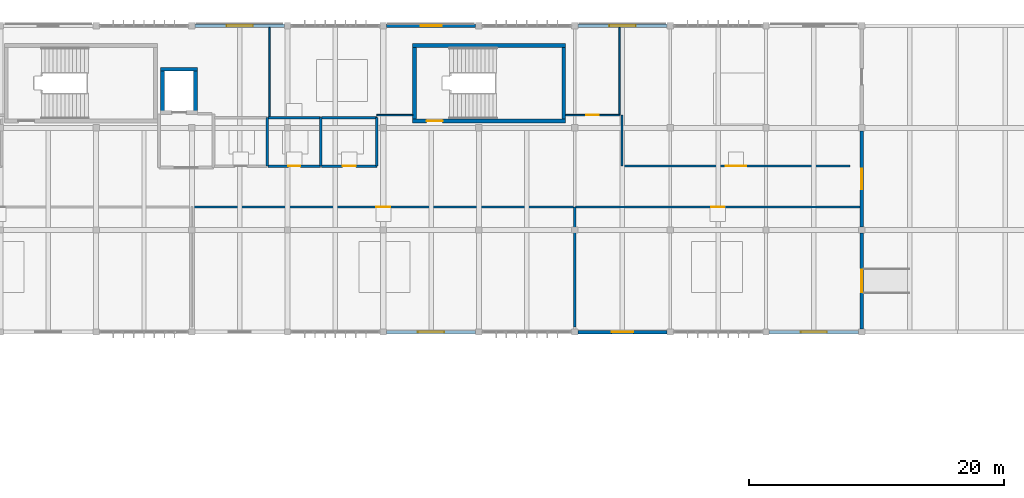
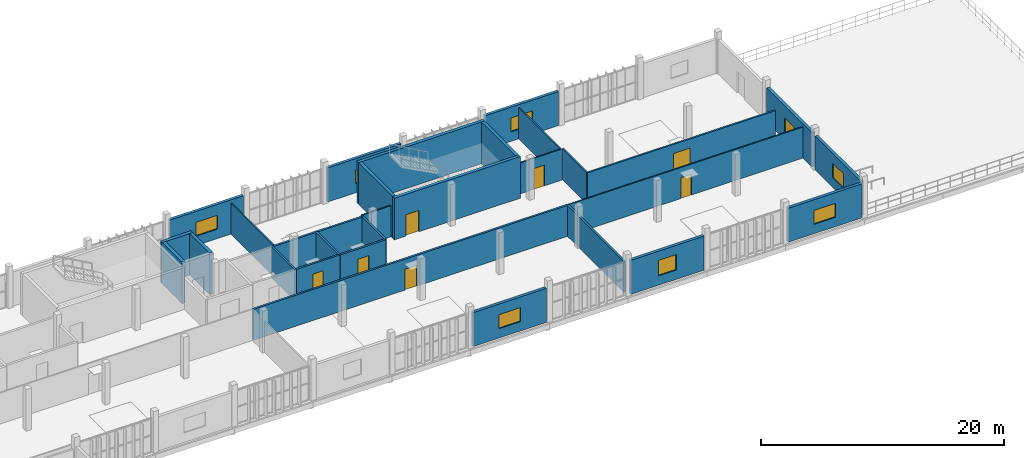
# One storey, part 20 of 27: 31 walls, 8 doors, 7 windows, 15 openings.
"""IFC4 building model written with IfcOpenShell, lengths in metres."""

from ifc_helpers import new_model, si_unit, direction, frame, frame_2d, origin, place, context, subcontext, project, spatial, rectangle, extrude, material, layer, layer_set, type_object, element, fill, save


model = new_model("IFC4")

# Units and contexts
model_context = context("Model", 3, precision=1e-05, world=origin(), true_north=direction((0.0, 1.0)))
body_context = subcontext(model_context, "Body", "Model", "MODEL_VIEW")
ifc_project = project(units=[si_unit("LENGTHUNIT", "METRE"), si_unit("AREAUNIT", "SQUARE_METRE"), si_unit("VOLUMEUNIT", "CUBIC_METRE"), si_unit("PLANEANGLEUNIT", "RADIAN"), si_unit("MASSUNIT", "GRAM", prefix="KILO")], contexts=[model_context])

# Site, building, storey
site_placement = place(None, origin())
site = spatial("IfcSite", under=ifc_project, at=site_placement, CompositionType="ELEMENT")
building_placement = place(site_placement, origin())
building = spatial("IfcBuilding", under=site, at=building_placement, Name="Vourika Railside Aquatics Centre", CompositionType="ELEMENT")
storey_placement = place(building_placement, frame((0.0, 0.0, 13.5)))
storey = spatial("IfcBuildingStorey", under=building, at=storey_placement, Name="L03", CompositionType="ELEMENT", Elevation=13.5)

# Wall, opening, door
ifc_material_1 = material(Name="Concrete C40/50", Category="concrete")
ifc_layer_1 = layer(ifc_material_1, 0.300048828125, Name="WL-CORE")
ifc_layer_set_1 = layer_set([ifc_layer_1], Name="Concrete C40/50")
wall_type_1 = type_object("IfcWallType", Name="WL-CORE", PredefinedType="SHEAR", material=ifc_layer_set_1)
wall_1_placement = place(storey_placement, frame((75.800048828125, 108.550048828125, 0.0), z_axis=(0.0, 0.0, 1.0), x_axis=(1.0, 0.0, 0.0)))
wall_1 = element("IfcWall", 1, at=wall_1_placement, inside=storey, type_object=wall_type_1, Name="Protected Exit Stair Core ST03 South Wall (L03)", PredefinedType="SHEAR", context=body_context, shape_type="SweptSolid", body=[
    extrude(rectangle(XDim=12.0, YDim=0.300048828125, at=frame_2d((6.0, 0.0))), origin(), (0.0, 0.0, 1.0), 4.199951171875),
])
opening_1_placement = place(wall_1_placement, frame((1.10009765625, 0.0, 0.0)))
opening_1 = element("IfcOpeningElement", 2, at=opening_1_placement, cuts=wall_1, Name="Opening DF02", PredefinedType="OPENING", context=body_context, shape_type="SweptSolid", body=[
    extrude(rectangle(XDim=1.25, YDim=2.14990234375, at=frame_2d((0.625, 1.074951171875))), frame((0.0, 0.16015625, 0.0), z_axis=(0.0, -1.0, 0.0), x_axis=(1.0, 0.0, 0.0)), (0.0, 0.0, 1.0), 0.320068359375),
])
ifc_material_2 = material(Name="Fire-rated wide exit stair door")
door_type_1 = type_object("IfcDoorType", Name="DR-FD60-125", OperationType="NOTDEFINED", PredefinedType="DOOR", material=ifc_material_2)
door_1_placement = place(opening_1_placement, origin())
door_1 = element("IfcDoor", 3, at=door_1_placement, inside=storey, type_object=door_type_1, Name="Protected Exit Stair Core ST03 Enclosure Fire Door (L03)", OperationType="SINGLE_SWING_LEFT", OverallHeight=2.14990234375, OverallWidth=1.25, PredefinedType="DOOR", context=body_context, shape_type="SweptSolid", body=[
    extrude(rectangle(XDim=1.25, YDim=2.14990234375, at=frame_2d((0.625, 1.074951171875))), frame((0.0, 0.02490234375, 0.0), z_axis=(0.0, -1.0, 0.0), x_axis=(1.0, 0.0, 0.0)), (0.0, 0.0, 1.0), 0.050048828125),
])
fill(opening_1, door_1)

# Walls
wall_2_placement = place(storey_placement, frame((87.800048828125, 114.449951171875, 0.0), z_axis=(0.0, 0.0, 1.0), x_axis=(-1.0, 0.0, 0.0)))
element("IfcWall", 4, at=wall_2_placement, inside=storey, type_object=wall_type_1, Name="Protected Exit Stair Core ST03 North Wall (L03)", PredefinedType="SHEAR", context=body_context, shape_type="SweptSolid", body=[
    extrude(rectangle(XDim=12.0, YDim=0.300048828125, at=frame_2d((6.0, 0.0))), origin(), (0.0, 0.0, 1.0), 4.199951171875),
])
for number, where, z_axis, x_axis, name in (
    (5, (75.949951171875, 114.300048828125, 0.0), (0.0, 0.0, 1.0), (0.0, -1.0, 0.0), "Protected Exit Stair Core ST03 West Wall (L03)"),
    (6, (87.64990234375, 108.699951171875, 0.0), (0.0, 0.0, 1.0), (0.0, 1.0, 0.0), "Protected Exit Stair Core ST03 East Wall (L03)"),
):
    element("IfcWall", number, at=place(storey_placement, frame(where, z_axis=z_axis, x_axis=x_axis)), inside=storey, type_object=wall_type_1, Name=name, PredefinedType="SHEAR", context=body_context, shape_type="SweptSolid", body=[
        extrude(rectangle(XDim=5.60009765625, YDim=0.300048828125, at=frame_2d((2.800048828125, 0.0))), origin(), (0.0, 0.0, 1.0), 4.199951171875),
    ])
wall_3_placement = place(storey_placement, frame((58.949951171875, 112.60009765625, 0.0), z_axis=(0.0, 0.0, 1.0), x_axis=(-1.0, 0.0, 0.0)))
element("IfcWall", 7, at=wall_3_placement, inside=storey, type_object=wall_type_1, Name="Lift LF02 Shaft North Wall (L03)", PredefinedType="SHEAR", context=body_context, shape_type="SweptSolid", body=[
    extrude(rectangle(XDim=2.89990234375, YDim=0.300048828125, at=frame_2d((1.449951171875, 0.0))), origin(), (0.0, 0.0, 1.0), 4.199951171875),
])
for number, where, z_axis, x_axis, name in (
    (8, (56.199951171875, 112.60009765625, 0.0), (0.0, 0.0, 1.0), (0.0, -1.0, 0.0), "Lift LF02 Shaft West Wall (L03)"),
    (9, (58.800048828125, 109.199951171875, 0.0), (0.0, 0.0, 1.0), (0.0, 1.0, 0.0), "Lift LF02 Shaft East Wall (L03)"),
):
    element("IfcWall", number, at=place(storey_placement, frame(where, z_axis=z_axis, x_axis=x_axis)), inside=storey, type_object=wall_type_1, Name=name, PredefinedType="SHEAR", context=body_context, shape_type="SweptSolid", body=[
        extrude(rectangle(XDim=3.400146484375, YDim=0.300048828125, at=frame_2d((1.7001953125, 0.0))), origin(), (0.0, 0.0, 1.0), 4.199951171875),
    ])

# Wall, opening, window
ifc_material_3 = material(Name="Precast concrete C40/50", Category="concrete")
ifc_layer_2 = layer(ifc_material_3, 0.27001953125, Name="WL-EXT-270")
ifc_layer_set_2 = layer_set([ifc_layer_2], Name="Precast concrete C40/50")
wall_type_2 = type_object("IfcWallType", Name="WL-EXT-270", PredefinedType="SOLIDWALL", material=ifc_layer_set_2)
wall_4_placement = place(storey_placement, frame((65.75, 116.0, 0.0), z_axis=(0.0, 0.0, 1.0), x_axis=(-1.0, 0.0, 0.0)))
wall_4 = element("IfcWall", 10, at=wall_4_placement, inside=storey, type_object=wall_type_2, Name="North Boulevard Precast Bay L03-6", PredefinedType="SOLIDWALL", context=body_context, shape_type="SweptSolid", body=[
    extrude(rectangle(XDim=7.0, YDim=0.27001953125, at=frame_2d((3.5, 0.0))), origin(), (0.0, 0.0, 1.0), 3.43994140625),
])
opening_2_placement = place(wall_4_placement, frame((2.47509765625, 0.0, 0.949951171875)))
opening_2 = element("IfcOpeningElement", 11, at=opening_2_placement, cuts=wall_4, Name="Opening W12", PredefinedType="OPENING", context=body_context, shape_type="SweptSolid", body=[
    extrude(rectangle(XDim=2.050048828125, YDim=1.39990234375, at=frame_2d((1.02490234375, 0.699951171875))), frame((0.0, 0.14501953125, 0.0), z_axis=(0.0, -1.0, 0.0), x_axis=(1.0, 0.0, 0.0)), (0.0, 0.0, 1.0), 0.2900390625),
])
ifc_material_4 = material(Name="Laminated solar-control glass", Category="glass")
window_type_1 = type_object("IfcWindowType", Name="WN-SPA-205x140", PartitioningType="DOUBLE_PANEL_HORIZONTAL", PredefinedType="WINDOW", material=ifc_material_4)
window_1_placement = place(opening_2_placement, origin())
window_1 = element("IfcWindow", 12, at=window_1_placement, inside=storey, type_object=window_type_1, Name="North Boulevard Studio Window L03-6", OverallHeight=1.39990234375, OverallWidth=2.050048828125, PartitioningType="SINGLE_PANEL", PredefinedType="WINDOW", context=body_context, shape_type="SweptSolid", body=[
    extrude(rectangle(XDim=2.050048828125, YDim=1.39990234375, at=frame_2d((1.02490234375, 0.699951171875))), frame((0.0, 0.030029296875, 0.0), z_axis=(0.0, -1.0, 0.0), x_axis=(1.0, 0.0, 0.0)), (0.0, 0.0, 1.0), 0.06005859375),
])
fill(opening_2, window_1)

wall_5_placement = place(storey_placement, frame((80.75, 116.0, 0.0), z_axis=(0.0, 0.0, 1.0), x_axis=(-1.0, 0.0, 0.0)))
wall_5 = element("IfcWall", 13, at=wall_5_placement, inside=storey, type_object=wall_type_2, Name="North Boulevard Precast Bay L03-8", PredefinedType="SOLIDWALL", context=body_context, shape_type="SweptSolid", body=[
    extrude(rectangle(XDim=7.0, YDim=0.27001953125, at=frame_2d((3.5, 0.0))), origin(), (0.0, 0.0, 1.0), 3.429931640625),
])
opening_3_placement = place(wall_5_placement, frame((2.675048828125, 0.0, 0.949951171875)))
opening_3 = element("IfcOpeningElement", 14, at=opening_3_placement, cuts=wall_5, Name="Opening W13", PredefinedType="OPENING", context=body_context, shape_type="SweptSolid", body=[
    extrude(rectangle(XDim=1.64990234375, YDim=1.35009765625, at=frame_2d((0.824951171875, 0.675048828125))), frame((0.0, 0.14501953125, 0.0), z_axis=(0.0, -1.0, 0.0), x_axis=(1.0, 0.0, 0.0)), (0.0, 0.0, 1.0), 0.2900390625),
])
window_type_2 = type_object("IfcWindowType", Name="WN-SPA-165x135", PartitioningType="SINGLE_PANEL", PredefinedType="WINDOW", material=ifc_material_4)
window_2_placement = place(opening_3_placement, origin())
window_2 = element("IfcWindow", 15, at=window_2_placement, inside=storey, type_object=window_type_2, Name="North Boulevard Studio Window L03-8", OverallHeight=1.35009765625, OverallWidth=1.64990234375, PartitioningType="SINGLE_PANEL", PredefinedType="WINDOW", context=body_context, shape_type="SweptSolid", body=[
    extrude(rectangle(XDim=1.64990234375, YDim=1.35009765625, at=frame_2d((0.824951171875, 0.675048828125))), frame((0.0, 0.030029296875, 0.0), z_axis=(0.0, -1.0, 0.0), x_axis=(1.0, 0.0, 0.0)), (0.0, 0.0, 1.0), 0.06005859375),
])
fill(opening_3, window_2)

wall_6_placement = place(storey_placement, frame((95.75, 116.0, 0.0), z_axis=(0.0, 0.0, 1.0), x_axis=(-1.0, 0.0, 0.0)))
wall_6 = element("IfcWall", 16, at=wall_6_placement, inside=storey, type_object=wall_type_2, Name="North Boulevard Precast Bay L03-10", PredefinedType="SOLIDWALL", context=body_context, shape_type="SweptSolid", body=[
    extrude(rectangle(XDim=7.0, YDim=0.27001953125, at=frame_2d((3.5, 0.0))), origin(), (0.0, 0.0, 1.0), 3.429931640625),
])
opening_4_placement = place(wall_6_placement, frame((2.47509765625, 0.0, 0.949951171875)))
opening_4 = element("IfcOpeningElement", 17, at=opening_4_placement, cuts=wall_6, Name="Opening W12", PredefinedType="OPENING", context=body_context, shape_type="SweptSolid", body=[
    extrude(rectangle(XDim=2.050048828125, YDim=1.39990234375, at=frame_2d((1.02490234375, 0.699951171875))), frame((0.0, 0.14501953125, 0.0), z_axis=(0.0, -1.0, 0.0), x_axis=(1.0, 0.0, 0.0)), (0.0, 0.0, 1.0), 0.2900390625),
])
window_3_placement = place(opening_4_placement, origin())
window_3 = element("IfcWindow", 18, at=window_3_placement, inside=storey, type_object=window_type_1, Name="North Boulevard Studio Window L03-10", OverallHeight=1.39990234375, OverallWidth=2.050048828125, PartitioningType="SINGLE_PANEL", PredefinedType="WINDOW", context=body_context, shape_type="SweptSolid", body=[
    extrude(rectangle(XDim=2.050048828125, YDim=1.39990234375, at=frame_2d((1.02490234375, 0.699951171875))), frame((0.0, 0.030029296875, 0.0), z_axis=(0.0, -1.0, 0.0), x_axis=(1.0, 0.0, 0.0)), (0.0, 0.0, 1.0), 0.06005859375),
])
fill(opening_4, window_3)

wall_7_placement = place(storey_placement, frame((73.75, 92.0, 0.0), z_axis=(0.0, 0.0, 1.0), x_axis=(1.0, 0.0, 0.0)))
wall_7 = element("IfcWall", 19, at=wall_7_placement, inside=storey, type_object=wall_type_2, Name="Courtyard Precast Wall L03-6", PredefinedType="SOLIDWALL", context=body_context, shape_type="SweptSolid", body=[
    extrude(rectangle(XDim=7.0, YDim=0.27001953125, at=frame_2d((3.5, 0.0))), origin(), (0.0, 0.0, 1.0), 3.429931640625),
])
opening_5_placement = place(wall_7_placement, frame((2.47509765625, 0.0, 0.949951171875)))
opening_5 = element("IfcOpeningElement", 20, at=opening_5_placement, cuts=wall_7, Name="Opening W12", PredefinedType="OPENING", context=body_context, shape_type="SweptSolid", body=[
    extrude(rectangle(XDim=2.050048828125, YDim=1.39990234375, at=frame_2d((1.02490234375, 0.699951171875))), frame((0.0, 0.14501953125, 0.0), z_axis=(0.0, -1.0, 0.0), x_axis=(1.0, 0.0, 0.0)), (0.0, 0.0, 1.0), 0.2900390625),
])
window_4_placement = place(opening_5_placement, origin())
window_4 = element("IfcWindow", 21, at=window_4_placement, inside=storey, type_object=window_type_1, Name="Courtyard Fitness Window L03-6", OverallHeight=1.39990234375, OverallWidth=2.050048828125, PartitioningType="SINGLE_PANEL", PredefinedType="WINDOW", context=body_context, shape_type="SweptSolid", body=[
    extrude(rectangle(XDim=2.050048828125, YDim=1.39990234375, at=frame_2d((1.02490234375, 0.699951171875))), frame((0.0, 0.030029296875, 0.0), z_axis=(0.0, -1.0, 0.0), x_axis=(1.0, 0.0, 0.0)), (0.0, 0.0, 1.0), 0.06005859375),
])
fill(opening_5, window_4)

wall_8_placement = place(storey_placement, frame((88.75, 92.0, 0.0), z_axis=(0.0, 0.0, 1.0), x_axis=(1.0, 0.0, 0.0)))
wall_8 = element("IfcWall", 22, at=wall_8_placement, inside=storey, type_object=wall_type_2, Name="Courtyard Precast Wall L03-8", PredefinedType="SOLIDWALL", context=body_context, shape_type="SweptSolid", body=[
    extrude(rectangle(XDim=7.0, YDim=0.27001953125, at=frame_2d((3.5, 0.0))), origin(), (0.0, 0.0, 1.0), 3.429931640625),
])
opening_6_placement = place(wall_8_placement, frame((2.64990234375, 0.0, 0.949951171875)))
opening_6 = element("IfcOpeningElement", 23, at=opening_6_placement, cuts=wall_8, Name="Opening W11", PredefinedType="OPENING", context=body_context, shape_type="SweptSolid", body=[
    extrude(rectangle(XDim=1.699951171875, YDim=1.550048828125, at=frame_2d((0.85009765625, 0.77490234375))), frame((0.0, 0.14501953125, 0.0), z_axis=(0.0, -1.0, 0.0), x_axis=(1.0, 0.0, 0.0)), (0.0, 0.0, 1.0), 0.2900390625),
])
window_type_3 = type_object("IfcWindowType", Name="WN-LAB-170x155", PartitioningType="SINGLE_PANEL", PredefinedType="WINDOW", material=ifc_material_4)
window_5_placement = place(opening_6_placement, origin())
window_5 = element("IfcWindow", 24, at=window_5_placement, inside=storey, type_object=window_type_3, Name="Courtyard Fitness Window L03-8", OverallHeight=1.550048828125, OverallWidth=1.699951171875, PartitioningType="SINGLE_PANEL", PredefinedType="WINDOW", context=body_context, shape_type="SweptSolid", body=[
    extrude(rectangle(XDim=1.699951171875, YDim=1.550048828125, at=frame_2d((0.85009765625, 0.77490234375))), frame((0.0, 0.030029296875, 0.0), z_axis=(0.0, -1.0, 0.0), x_axis=(1.0, 0.0, 0.0)), (0.0, 0.0, 1.0), 0.06005859375),
])
fill(opening_6, window_5)

wall_9_placement = place(storey_placement, frame((103.75, 92.0, 0.0), z_axis=(0.0, 0.0, 1.0), x_axis=(1.0, 0.0, 0.0)))
wall_9 = element("IfcWall", 25, at=wall_9_placement, inside=storey, type_object=wall_type_2, Name="Courtyard Precast Wall L03-10", PredefinedType="SOLIDWALL", context=body_context, shape_type="SweptSolid", body=[
    extrude(rectangle(XDim=7.0, YDim=0.27001953125, at=frame_2d((3.5, 0.0))), origin(), (0.0, 0.0, 1.0), 3.429931640625),
])
opening_7_placement = place(wall_9_placement, frame((2.47509765625, 0.0, 0.949951171875)))
opening_7 = element("IfcOpeningElement", 26, at=opening_7_placement, cuts=wall_9, Name="Opening W12", PredefinedType="OPENING", context=body_context, shape_type="SweptSolid", body=[
    extrude(rectangle(XDim=2.050048828125, YDim=1.39990234375, at=frame_2d((1.02490234375, 0.699951171875))), frame((0.0, 0.14501953125, 0.0), z_axis=(0.0, -1.0, 0.0), x_axis=(1.0, 0.0, 0.0)), (0.0, 0.0, 1.0), 0.2900390625),
])
window_6_placement = place(opening_7_placement, origin())
window_6 = element("IfcWindow", 27, at=window_6_placement, inside=storey, type_object=window_type_1, Name="Courtyard Fitness Window L03-10", OverallHeight=1.39990234375, OverallWidth=2.050048828125, PartitioningType="SINGLE_PANEL", PredefinedType="WINDOW", context=body_context, shape_type="SweptSolid", body=[
    extrude(rectangle(XDim=2.050048828125, YDim=1.39990234375, at=frame_2d((1.02490234375, 0.699951171875))), frame((0.0, 0.030029296875, 0.0), z_axis=(0.0, -1.0, 0.0), x_axis=(1.0, 0.0, 0.0)), (0.0, 0.0, 1.0), 0.06005859375),
])
fill(opening_7, window_6)

wall_10_placement = place(storey_placement, frame((111.0, 92.25, 0.0), z_axis=(0.0, 0.0, 1.0), x_axis=(0.0, 1.0, 0.0)))
wall_10 = element("IfcWall", 28, at=wall_10_placement, inside=storey, type_object=wall_type_2, Name="Fitness Step-Back East Wall L03-1", PredefinedType="SOLIDWALL", context=body_context, shape_type="SweptSolid", body=[
    extrude(rectangle(XDim=7.5, YDim=0.27001953125, at=frame_2d((3.75, 0.0))), origin(), (0.0, 0.0, 1.0), 3.429931640625),
])
opening_8_placement = place(wall_10_placement, frame((2.85009765625, 0.0, 0.949951171875)))
opening_8 = element("IfcOpeningElement", 29, at=opening_8_placement, cuts=wall_10, Name="Opening W08", PredefinedType="OPENING", context=body_context, shape_type="SweptSolid", body=[
    extrude(rectangle(XDim=1.800048828125, YDim=1.5, at=frame_2d((0.89990234375, 0.75))), frame((0.0, 0.14501953125, 0.0), z_axis=(0.0, -1.0, 0.0), x_axis=(1.0, 0.0, 0.0)), (0.0, 0.0, 1.0), 0.2900390625),
])
window_type_4 = type_object("IfcWindowType", Name="WN-CLN-180x150", PartitioningType="SINGLE_PANEL", PredefinedType="WINDOW", material=ifc_material_4)
window_7_placement = place(opening_8_placement, origin())
window_7 = element("IfcWindow", 30, at=window_7_placement, inside=storey, type_object=window_type_4, Name="Fitness East Window L03-1", OverallHeight=1.5, OverallWidth=1.800048828125, PartitioningType="SINGLE_PANEL", PredefinedType="WINDOW", context=body_context, shape_type="SweptSolid", body=[
    extrude(rectangle(XDim=1.800048828125, YDim=1.5, at=frame_2d((0.89990234375, 0.75))), frame((0.0, 0.030029296875, 0.0), z_axis=(0.0, -1.0, 0.0), x_axis=(1.0, 0.0, 0.0)), (0.0, 0.0, 1.0), 0.06005859375),
])
fill(opening_8, window_7)

# Wall, opening, door
wall_11_placement = place(storey_placement, frame((111.0, 100.25, 0.0), z_axis=(0.0, 0.0, 1.0), x_axis=(0.0, 1.0, 0.0)))
wall_11 = element("IfcWall", 31, at=wall_11_placement, inside=storey, type_object=wall_type_2, Name="Fitness Step-Back East Wall L03-2", PredefinedType="SOLIDWALL", context=body_context, shape_type="SweptSolid", body=[
    extrude(rectangle(XDim=7.5, YDim=0.27001953125, at=frame_2d((3.75, 0.0))), origin(), (0.0, 0.0, 1.0), 3.429931640625),
])
opening_9_placement = place(wall_11_placement, frame((2.949951171875, 0.0, 0.0)))
opening_9 = element("IfcOpeningElement", 32, at=opening_9_placement, cuts=wall_11, Name="Opening DE06", PredefinedType="OPENING", context=body_context, shape_type="SweptSolid", body=[
    extrude(rectangle(XDim=1.60009765625, YDim=2.199951171875, at=frame_2d((0.800048828125, 1.10009765625))), frame((0.0, 0.14501953125, 0.0), z_axis=(0.0, -1.0, 0.0), x_axis=(1.0, 0.0, 0.0)), (0.0, 0.0, 1.0), 0.2900390625),
])
ifc_material_5 = material(Name="Anodized aluminium", Category="aluminium")
door_type_2 = type_object("IfcDoorType", Name="DR-EXT-TER160", OperationType="DOUBLE_DOOR_SINGLE_SWING", PredefinedType="DOOR", material=ifc_material_5)
door_2_placement = place(opening_9_placement, frame((1.60009765625, 0.0, 0.0), z_axis=(0.0, 0.0, 1.0), x_axis=(-1.0, 0.0, 0.0)))
door_2 = element("IfcDoor", 33, at=door_2_placement, inside=storey, type_object=door_type_2, Name="L03 Sun Terrace Access Door 2", OperationType="DOUBLE_DOOR_SINGLE_SWING", OverallHeight=2.199951171875, OverallWidth=1.60009765625, PredefinedType="DOOR", context=body_context, shape_type="SweptSolid", body=[
    extrude(rectangle(XDim=1.60009765625, YDim=2.199951171875, at=frame_2d((0.800048828125, 1.10009765625))), frame((0.0, 0.02490234375, 0.0), z_axis=(0.0, -1.0, 0.0), x_axis=(1.0, 0.0, 0.0)), (0.0, 0.0, 1.0), 0.050048828125),
])
fill(opening_9, door_2)

ifc_material_6 = material(Name="Lightweight drylining partition")
ifc_layer_3 = layer(ifc_material_6, 0.1201171875, Name="WL-PART-120")
ifc_layer_set_3 = layer_set([ifc_layer_3], Name="Lightweight drylining partition")
wall_type_3 = type_object("IfcWallType", Name="WL-PART-120", PredefinedType="PARTITIONING", material=ifc_layer_set_3)
wall_12_placement = place(storey_placement, frame((88.570068359375, 101.800048828125, 0.0), z_axis=(0.0, 0.0, 1.0), x_axis=(1.0, 0.0, 0.0)))
wall_12 = element("IfcWall", 34, at=wall_12_placement, inside=storey, type_object=wall_type_3, Name="Contrast Recovery Lounge and Relaxation Room Partition 1", PredefinedType="PARTITIONING", context=body_context, shape_type="SweptSolid", body=[
    extrude(rectangle(XDim=22.31494140625, YDim=0.1201171875, at=frame_2d((11.157470703125, 0.0))), origin(), (0.0, 0.0, 1.0), 3.1201171875),
])
opening_10_placement = place(wall_12_placement, frame((10.657470703125, 0.0, 0.0)))
opening_10 = element("IfcOpeningElement", 35, at=opening_10_placement, cuts=wall_12, Name="Opening DI01", PredefinedType="OPENING", context=body_context, shape_type="SweptSolid", body=[
    extrude(rectangle(XDim=1.0, YDim=2.10009765625, at=frame_2d((0.5, 1.050048828125))), frame((0.0, 0.070068359375, 0.0), z_axis=(0.0, -1.0, 0.0), x_axis=(1.0, 0.0, 0.0)), (0.0, 0.0, 1.0), 0.14013671875),
])
ifc_material_7 = material(Name="Anodized aluminium and laminate door", Category="aluminium")
door_type_3 = type_object("IfcDoorType", Name="DR-INT-1000", OperationType="NOTDEFINED", PredefinedType="DOOR", material=ifc_material_7)
door_3_placement = place(opening_10_placement, origin())
door_3 = element("IfcDoor", 36, at=door_3_placement, inside=storey, type_object=door_type_3, Name="Contrast Recovery Lounge and Relaxation Room Door", OperationType="SINGLE_SWING_RIGHT", OverallHeight=2.10009765625, OverallWidth=1.0, PredefinedType="DOOR", context=body_context, shape_type="SweptSolid", body=[
    extrude(rectangle(XDim=1.0, YDim=2.10009765625, at=frame_2d((0.5, 1.050048828125))), frame((0.0, 0.02490234375, 0.0), z_axis=(0.0, -1.0, 0.0), x_axis=(1.0, 0.0, 0.0)), (0.0, 0.0, 1.0), 0.050048828125),
])
fill(opening_10, door_3)

wall_13_placement = place(storey_placement, frame((92.0, 109.0, 0.0), z_axis=(0.0, 0.0, 1.0), x_axis=(-1.0, 0.0, 0.0)))
wall_13 = element("IfcWall", 37, at=wall_13_placement, inside=storey, type_object=wall_type_3, Name="Sports Cardiology Diagnostics Lounge Partition 2", PredefinedType="PARTITIONING", context=body_context, shape_type="SweptSolid", body=[
    extrude(rectangle(XDim=4.199951171875, YDim=0.1201171875, at=frame_2d((2.10009765625, 0.0))), origin(), (0.0, 0.0, 1.0), 3.1201171875),
])
opening_11_placement = place(wall_13_placement, frame((1.60009765625, 0.0, 0.0)))
opening_11 = element("IfcOpeningElement", 38, at=opening_11_placement, cuts=wall_13, Name="Opening DI01", PredefinedType="OPENING", context=body_context, shape_type="SweptSolid", body=[
    extrude(rectangle(XDim=1.0, YDim=2.10009765625, at=frame_2d((0.5, 1.050048828125))), frame((0.0, 0.070068359375, 0.0), z_axis=(0.0, -1.0, 0.0), x_axis=(1.0, 0.0, 0.0)), (0.0, 0.0, 1.0), 0.14013671875),
])
door_4_placement = place(opening_11_placement, origin())
door_4 = element("IfcDoor", 39, at=door_4_placement, inside=storey, type_object=door_type_3, Name="Sports Cardiology Diagnostics Lounge Door", OperationType="SINGLE_SWING_LEFT", OverallHeight=2.10009765625, OverallWidth=1.0, PredefinedType="DOOR", context=body_context, shape_type="SweptSolid", body=[
    extrude(rectangle(XDim=1.0, YDim=2.10009765625, at=frame_2d((0.5, 1.050048828125))), frame((0.0, 0.02490234375, 0.0), z_axis=(0.0, -1.0, 0.0), x_axis=(1.0, 0.0, 0.0)), (0.0, 0.0, 1.0), 0.050048828125),
])
fill(opening_11, door_4)

# Walls
wall_14_placement = place(storey_placement, frame((75.800048828125, 109.0, 0.0), z_axis=(0.0, 0.0, 1.0), x_axis=(-1.0, 0.0, 0.0)))
element("IfcWall", 40, at=wall_14_placement, inside=storey, type_object=wall_type_3, Name="Sports Cardiology Diagnostics Lounge Partition 3", PredefinedType="PARTITIONING", context=body_context, shape_type="SweptSolid", body=[
    extrude(rectangle(XDim=2.800048828125, YDim=0.1201171875, at=frame_2d((1.39990234375, 0.0))), origin(), (0.0, 0.0, 1.0), 3.1201171875),
])
wall_15_placement = place(storey_placement, frame((64.60009765625, 108.8701171875, 0.0), z_axis=(0.0, 0.0, 1.0), x_axis=(0.0, 1.0, 0.0)))
element("IfcWall", 41, at=wall_15_placement, inside=storey, type_object=wall_type_3, Name="Sports Cardiology Diagnostics Lounge Partition 4", PredefinedType="PARTITIONING", context=body_context, shape_type="SweptSolid", body=[
    extrude(rectangle(XDim=7.014892578125, YDim=0.1201171875, at=frame_2d((3.50732421875, 0.0))), origin(), (0.0, 0.0, 1.0), 3.1201171875),
])
wall_16_placement = place(storey_placement, frame((92.0, 115.885009765625, 0.0), z_axis=(0.0, 0.0, 1.0), x_axis=(0.0, -1.0, 0.0)))
element("IfcWall", 42, at=wall_16_placement, inside=storey, type_object=wall_type_3, Name="Sports Cardiology Diagnostics Lounge Partition 5", PredefinedType="PARTITIONING", context=body_context, shape_type="SweptSolid", body=[
    extrude(rectangle(XDim=6.885009765625, YDim=0.1201171875, at=frame_2d((3.4423828125, 0.0))), origin(), (0.0, 0.0, 1.0), 3.1201171875),
])

# Wall, opening, door
ifc_material_8 = material(Name="Acoustic twin-stud partition")
ifc_layer_4 = layer(ifc_material_8, 0.159912109375, Name="WL-PART-160")
ifc_layer_set_4 = layer_set([ifc_layer_4], Name="Acoustic twin-stud partition")
wall_type_4 = type_object("IfcWallType", Name="WL-PART-160", PredefinedType="PARTITIONING", material=ifc_layer_set_4)
wall_17_placement = place(storey_placement, frame((110.095458984375, 105.0, 0.0), z_axis=(0.0, 0.0, 1.0), x_axis=(-1.0, 0.0, 0.0)))
wall_17 = element("IfcWall", 43, at=wall_17_placement, inside=storey, type_object=wall_type_4, Name="Altitude Conditioning Studio Partition 1", PredefinedType="PARTITIONING", context=body_context, shape_type="SweptSolid", body=[
    extrude(rectangle(XDim=17.8955078125, YDim=0.159912109375, at=frame_2d((8.94775390625, 0.0))), origin(), (0.0, 0.0, 1.0), 3.1201171875),
])
opening_12_placement = place(wall_17_placement, frame((8.147705078125, 0.0, 0.0)))
opening_12 = element("IfcOpeningElement", 44, at=opening_12_placement, cuts=wall_17, Name="Opening DI04", PredefinedType="OPENING", context=body_context, shape_type="SweptSolid", body=[
    extrude(rectangle(XDim=1.60009765625, YDim=2.199951171875, at=frame_2d((0.800048828125, 1.10009765625))), frame((0.0, 0.08984375, 0.0), z_axis=(0.0, -1.0, 0.0), x_axis=(1.0, 0.0, 0.0)), (0.0, 0.0, 1.0), 0.179931640625),
])
ifc_material_9 = material(Name="Double studio entrance door")
door_type_4 = type_object("IfcDoorType", Name="DR-INT-1600D", OperationType="DOUBLE_DOOR_SINGLE_SWING", PredefinedType="DOOR", material=ifc_material_9)
door_5_placement = place(opening_12_placement, origin())
door_5 = element("IfcDoor", 45, at=door_5_placement, inside=storey, type_object=door_type_4, Name="Altitude Conditioning Studio Door", OperationType="DOUBLE_DOOR_SINGLE_SWING", OverallHeight=2.199951171875, OverallWidth=1.60009765625, PredefinedType="DOOR", context=body_context, shape_type="SweptSolid", body=[
    extrude(rectangle(XDim=1.60009765625, YDim=2.199951171875, at=frame_2d((0.800048828125, 1.10009765625))), frame((0.0, 0.02490234375, 0.0), z_axis=(0.0, -1.0, 0.0), x_axis=(1.0, 0.0, 0.0)), (0.0, 0.0, 1.0), 0.050048828125),
])
fill(opening_12, door_5)

# Walls
wall_18_placement = place(storey_placement, frame((92.199951171875, 105.0, 0.0), z_axis=(0.0, 0.0, 1.0), x_axis=(0.0, 1.0, 0.0)))
element("IfcWall", 46, at=wall_18_placement, inside=storey, type_object=wall_type_4, Name="Altitude Conditioning Studio Partition 2", PredefinedType="PARTITIONING", context=body_context, shape_type="SweptSolid", body=[
    extrude(rectangle(XDim=4.0, YDim=0.159912109375, at=frame_2d((2.0, 0.0))), origin(), (0.0, 0.0, 1.0), 3.1201171875),
])
ifc_material_10 = material(Name="Moisture-resistant wet-village blockwork", Category="masonry")
ifc_layer_5 = layer(ifc_material_10, 0.179931640625, Name="WL-PART-180")
ifc_layer_set_5 = layer_set([ifc_layer_5], Name="Moisture-resistant wet-village blockwork")
wall_type_5 = type_object("IfcWallType", Name="WL-PART-180", PredefinedType="PARTITIONING", material=ifc_layer_set_5)
wall_19_placement = place(storey_placement, frame((64.39990234375, 108.800048828125, 0.0), z_axis=(0.0, 0.0, 1.0), x_axis=(0.0, -1.0, 0.0)))
element("IfcWall", 47, at=wall_19_placement, inside=storey, type_object=wall_type_5, Name="Thermal Spa Male WC Partition 2", PredefinedType="PARTITIONING", context=body_context, shape_type="SweptSolid", body=[
    extrude(rectangle(XDim=3.800048828125, YDim=0.179931640625, at=frame_2d((1.89990234375, 0.0))), origin(), (0.0, 0.0, 1.0), 3.1201171875),
])

# Wall, opening, door
wall_20_placement = place(storey_placement, frame((68.60009765625, 105.0, 0.0), z_axis=(0.0, 0.0, 1.0), x_axis=(-1.0, 0.0, 0.0)))
wall_20 = element("IfcWall", 48, at=wall_20_placement, inside=storey, type_object=wall_type_5, Name="Thermal Spa Female WC Partition 1", PredefinedType="PARTITIONING", context=body_context, shape_type="SweptSolid", body=[
    extrude(rectangle(XDim=4.130126953125, YDim=0.179931640625, at=frame_2d((2.06494140625, 0.0))), origin(), (0.0, 0.0, 1.0), 3.1201171875),
])
opening_13_placement = place(wall_20_placement, frame((1.590087890625, 0.0, 0.0)))
opening_13 = element("IfcOpeningElement", 49, at=opening_13_placement, cuts=wall_20, Name="Opening DW01", PredefinedType="OPENING", context=body_context, shape_type="SweptSolid", body=[
    extrude(rectangle(XDim=0.949951171875, YDim=2.10009765625, at=frame_2d((0.47509765625, 1.050048828125))), frame((0.0, 0.10009765625, 0.0), z_axis=(0.0, -1.0, 0.0), x_axis=(1.0, 0.0, 0.0)), (0.0, 0.0, 1.0), 0.199951171875),
])
ifc_material_11 = material(Name="Moisture-resistant HPL washroom door")
door_type_5 = type_object("IfcDoorType", Name="DR-WC-950", OperationType="NOTDEFINED", PredefinedType="DOOR", material=ifc_material_11)
door_6_placement = place(opening_13_placement, origin())
door_6 = element("IfcDoor", 50, at=door_6_placement, inside=storey, type_object=door_type_5, Name="Thermal Spa Female WC Door", OperationType="SINGLE_SWING_LEFT", OverallHeight=2.10009765625, OverallWidth=0.949951171875, PredefinedType="DOOR", context=body_context, shape_type="SweptSolid", body=[
    extrude(rectangle(XDim=0.949951171875, YDim=2.10009765625, at=frame_2d((0.47509765625, 1.050048828125))), frame((0.0, 0.02490234375, 0.0), z_axis=(0.0, -1.0, 0.0), x_axis=(1.0, 0.0, 0.0)), (0.0, 0.0, 1.0), 0.050048828125),
])
fill(opening_13, door_6)

# Walls
wall_21_placement = place(storey_placement, frame((68.60009765625, 108.800048828125, 0.0), z_axis=(0.0, 0.0, 1.0), x_axis=(0.0, -1.0, 0.0)))
element("IfcWall", 51, at=wall_21_placement, inside=storey, type_object=wall_type_5, Name="Thermal Spa Female WC Partition 3", PredefinedType="PARTITIONING", context=body_context, shape_type="SweptSolid", body=[
    extrude(rectangle(XDim=3.800048828125, YDim=0.179931640625, at=frame_2d((1.89990234375, 0.0))), origin(), (0.0, 0.0, 1.0), 3.1201171875),
])
wall_22_placement = place(storey_placement, frame((64.469970703125, 108.800048828125, 0.0), z_axis=(0.0, 0.0, 1.0), x_axis=(1.0, 0.0, 0.0)))
element("IfcWall", 52, at=wall_22_placement, inside=storey, type_object=wall_type_5, Name="Thermal Spa Female WC Partition 4", PredefinedType="PARTITIONING", context=body_context, shape_type="SweptSolid", body=[
    extrude(rectangle(XDim=4.130126953125, YDim=0.179931640625, at=frame_2d((2.06494140625, 0.0))), origin(), (0.0, 0.0, 1.0), 3.1201171875),
])

# Wall, opening, door
wall_23_placement = place(storey_placement, frame((73.0, 105.0, 0.0), z_axis=(0.0, 0.0, 1.0), x_axis=(-1.0, 0.0, 0.0)))
wall_23 = element("IfcWall", 53, at=wall_23_placement, inside=storey, type_object=wall_type_5, Name="Thermal Spa Accessible WC Partition 1", PredefinedType="PARTITIONING", context=body_context, shape_type="SweptSolid", body=[
    extrude(rectangle(XDim=4.330078125, YDim=0.179931640625, at=frame_2d((2.1650390625, 0.0))), origin(), (0.0, 0.0, 1.0), 3.1201171875),
])
opening_14_placement = place(wall_23_placement, frame((1.639892578125, 0.0, 0.0)))
opening_14 = element("IfcOpeningElement", 54, at=opening_14_placement, cuts=wall_23, Name="Opening DW02", PredefinedType="OPENING", context=body_context, shape_type="SweptSolid", body=[
    extrude(rectangle(XDim=1.050048828125, YDim=2.10009765625, at=frame_2d((0.52490234375, 1.050048828125))), frame((0.0, 0.10009765625, 0.0), z_axis=(0.0, -1.0, 0.0), x_axis=(1.0, 0.0, 0.0)), (0.0, 0.0, 1.0), 0.199951171875),
])
ifc_material_12 = material(Name="Accessible WC outward-assist door")
door_type_6 = type_object("IfcDoorType", Name="DR-WCA-1050", OperationType="NOTDEFINED", PredefinedType="DOOR", material=ifc_material_12)
door_7_placement = place(opening_14_placement, origin())
door_7 = element("IfcDoor", 55, at=door_7_placement, inside=storey, type_object=door_type_6, Name="Thermal Spa Accessible WC Door", OperationType="SINGLE_SWING_RIGHT", OverallHeight=2.10009765625, OverallWidth=1.050048828125, PredefinedType="DOOR", context=body_context, shape_type="SweptSolid", body=[
    extrude(rectangle(XDim=1.050048828125, YDim=2.10009765625, at=frame_2d((0.52490234375, 1.050048828125))), frame((0.0, 0.02490234375, 0.0), z_axis=(0.0, -1.0, 0.0), x_axis=(1.0, 0.0, 0.0)), (0.0, 0.0, 1.0), 0.050048828125),
])
fill(opening_14, door_7)

# Walls
wall_24_placement = place(storey_placement, frame((73.0, 108.800048828125, 0.0), z_axis=(0.0, 0.0, 1.0), x_axis=(0.0, -1.0, 0.0)))
element("IfcWall", 56, at=wall_24_placement, inside=storey, type_object=wall_type_5, Name="Thermal Spa Accessible WC Partition 3", PredefinedType="PARTITIONING", context=body_context, shape_type="SweptSolid", body=[
    extrude(rectangle(XDim=3.800048828125, YDim=0.179931640625, at=frame_2d((1.89990234375, 0.0))), origin(), (0.0, 0.0, 1.0), 3.1201171875),
])
wall_25_placement = place(storey_placement, frame((68.669921875, 108.800048828125, 0.0), z_axis=(0.0, 0.0, 1.0), x_axis=(1.0, 0.0, 0.0)))
element("IfcWall", 57, at=wall_25_placement, inside=storey, type_object=wall_type_5, Name="Thermal Spa Accessible WC Partition 4", PredefinedType="PARTITIONING", context=body_context, shape_type="SweptSolid", body=[
    extrude(rectangle(XDim=4.330078125, YDim=0.179931640625, at=frame_2d((2.1650390625, 0.0))), origin(), (0.0, 0.0, 1.0), 3.1201171875),
])

# Wall, opening, door
wall_26_placement = place(storey_placement, frame((58.5400390625, 101.800048828125, 0.0), z_axis=(0.0, 0.0, 1.0), x_axis=(1.0, 0.0, 0.0)))
wall_26 = element("IfcWall", 58, at=wall_26_placement, inside=storey, type_object=wall_type_5, Name="Finnish Sauna and Tropical Steam Suites Partition 1", PredefinedType="PARTITIONING", context=body_context, shape_type="SweptSolid", body=[
    extrude(rectangle(XDim=29.9599609375, YDim=0.179931640625, at=frame_2d((14.97998046875, 0.0))), origin(), (0.0, 0.0, 1.0), 3.1201171875),
])
opening_15_placement = place(wall_26_placement, frame((14.429931640625, 0.0, 0.0)))
opening_15 = element("IfcOpeningElement", 59, at=opening_15_placement, cuts=wall_26, Name="Opening DI02", PredefinedType="OPENING", context=body_context, shape_type="SweptSolid", body=[
    extrude(rectangle(XDim=1.10009765625, YDim=2.10009765625, at=frame_2d((0.550048828125, 1.050048828125))), frame((0.0, 0.10009765625, 0.0), z_axis=(0.0, -1.0, 0.0), x_axis=(1.0, 0.0, 0.0)), (0.0, 0.0, 1.0), 0.199951171875),
])
ifc_material_13 = material(Name="Accessible clinic and studio door")
door_type_7 = type_object("IfcDoorType", Name="DR-INT-1100", OperationType="NOTDEFINED", PredefinedType="DOOR", material=ifc_material_13)
door_8_placement = place(opening_15_placement, origin())
door_8 = element("IfcDoor", 60, at=door_8_placement, inside=storey, type_object=door_type_7, Name="Finnish Sauna and Tropical Steam Suites Door", OperationType="SINGLE_SWING_LEFT", OverallHeight=2.10009765625, OverallWidth=1.10009765625, PredefinedType="DOOR", context=body_context, shape_type="SweptSolid", body=[
    extrude(rectangle(XDim=1.10009765625, YDim=2.10009765625, at=frame_2d((0.550048828125, 1.050048828125))), frame((0.0, 0.02490234375, 0.0), z_axis=(0.0, -1.0, 0.0), x_axis=(1.0, 0.0, 0.0)), (0.0, 0.0, 1.0), 0.050048828125),
])
fill(opening_15, door_8)

# Wall
wall_27_placement = place(storey_placement, frame((88.5, 101.800048828125, 0.0), z_axis=(0.0, 0.0, 1.0), x_axis=(0.0, -1.0, 0.0)))
element("IfcWall", 61, at=wall_27_placement, inside=storey, type_object=wall_type_5, Name="Finnish Sauna and Tropical Steam Suites Partition 3", PredefinedType="PARTITIONING", context=body_context, shape_type="SweptSolid", body=[
    extrude(rectangle(XDim=9.400146484375, YDim=0.179931640625, at=frame_2d((4.7001953125, 0.0))), origin(), (0.0, 0.0, 1.0), 3.1201171875),
])

save(model, "model.ifc")
